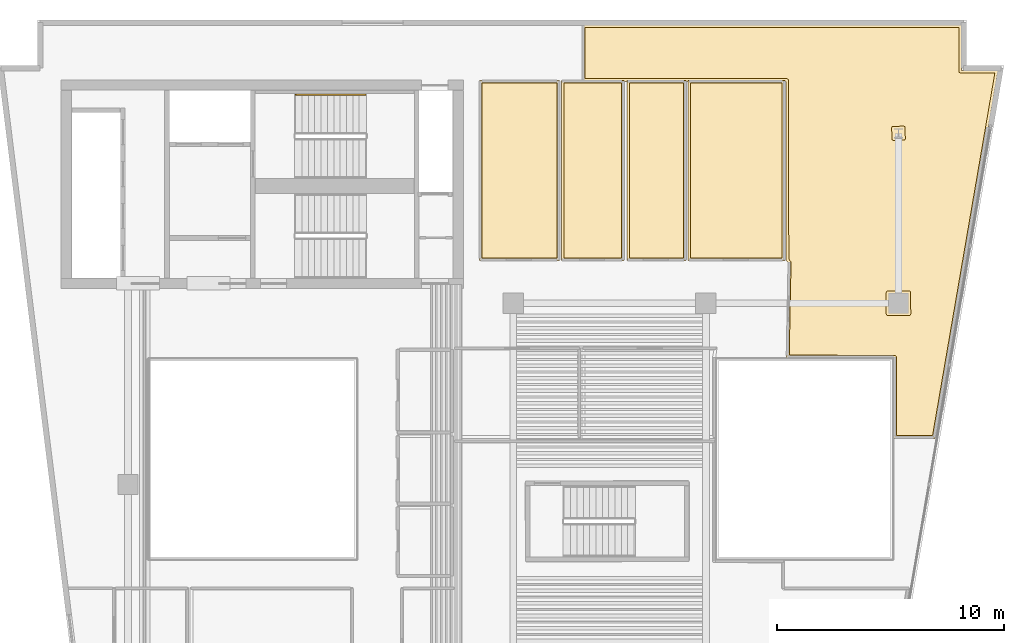
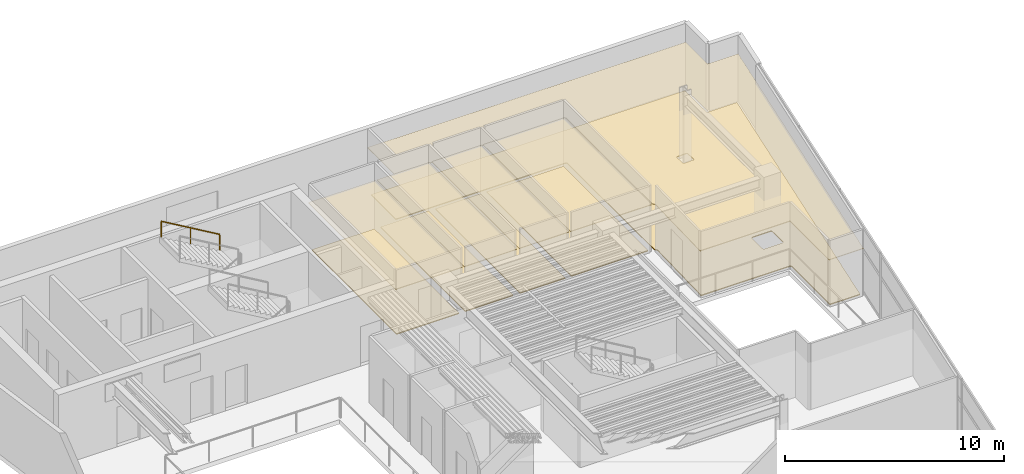
# One storey, part 9 of 9: 10 coverings, 1 railing.
"""IFC4 building model written with IfcOpenShell, lengths in metres."""

from ifc_helpers import new_model, si_unit, direction, frame, origin, origin_2d, place, context, subcontext, project, spatial, polyline, rectangle, outline, extrude, material, layer, layer_set, type_object, element, save


model = new_model("IFC4")

# Units and contexts
model_context = context("Model", 3, precision=1e-05, world=origin(), true_north=direction((0.0, 1.0)))
body_context = subcontext(model_context, "Body", "Model", "MODEL_VIEW")
ifc_project = project(units=[si_unit("LENGTHUNIT", "METRE"), si_unit("AREAUNIT", "SQUARE_METRE"), si_unit("VOLUMEUNIT", "CUBIC_METRE"), si_unit("PLANEANGLEUNIT", "RADIAN"), si_unit("MASSUNIT", "GRAM", prefix="KILO")], contexts=[model_context])

# Site, building, storey
site_placement = place(None, origin())
site = spatial("IfcSite", under=ifc_project, at=site_placement, CompositionType="ELEMENT")
building_placement = place(site_placement, origin())
building = spatial("IfcBuilding", under=site, at=building_placement, Name="Caeloran Harvest Quay", CompositionType="ELEMENT")
storey_placement = place(building_placement, frame((0.0, 0.0, 211.39990234375)))
storey = spatial("IfcBuildingStorey", under=building, at=storey_placement, Name="L50", CompositionType="ELEMENT", Elevation=211.39990234375)

# Coverings
ifc_material_1 = material(Name="Perforated Mineral-Fibre Acoustic Ceiling Tile", Category="ceiling")
ifc_layer_1 = layer(ifc_material_1, 0.0400390625, Name="Perforated Mineral-Fibre Acoustic Ceiling Tile")
ifc_layer_set_1 = layer_set([ifc_layer_1], Name="Perforated Mineral-Fibre Acoustic Ceiling Tile")
covering_type_1 = type_object("IfcCoveringType", Name="COV-CEILING-ACOUSTIC", PredefinedType="CEILING", material=ifc_layer_set_1)
covering_1_placement = place(storey_placement, frame((0.0, 0.0, 2.60009765625)))
element("IfcCovering", 1, at=covering_1_placement, inside=storey, type_object=covering_type_1, Name="L50 Bioinformatics Briefing Lounge Acoustic Ceiling", PredefinedType="CEILING", context=body_context, shape_type="SweptSolid", body=[
    extrude(outline(polyline([(27.5400390625, 40.840087890625), (27.5400390625, 32.8798828125), (24.010009765625, 32.8798828125), (24.010009765625, 40.840087890625), (27.5400390625, 40.840087890625)])), origin(), (0.0, 0.0, 1.0), 0.0400390625),
])
covering_2_placement = place(storey_placement, frame((0.0, 0.0, 2.60009765625)))
element("IfcCovering", 2, at=covering_2_placement, inside=storey, type_object=covering_type_1, Name="L50 Seed Imaging Laboratory Acoustic Ceiling", PredefinedType="CEILING", context=body_context, shape_type="SweptSolid", body=[
    extrude(outline(polyline([(30.389892578125, 40.840087890625), (30.389892578125, 32.8798828125), (27.6201171875, 32.8798828125), (27.6201171875, 40.840087890625), (30.389892578125, 40.840087890625)])), origin(), (0.0, 0.0, 1.0), 0.0400390625),
])
covering_3_placement = place(storey_placement, frame((0.0, 0.0, 2.60009765625)))
element("IfcCovering", 3, at=covering_3_placement, inside=storey, type_object=covering_type_1, Name="L50 Genomics Seminar West Room Acoustic Ceiling", PredefinedType="CEILING", context=body_context, shape_type="SweptSolid", body=[
    extrude(outline(polyline([(33.1298828125, 40.840087890625), (33.1298828125, 32.8798828125), (30.510009765625, 32.8798828125), (30.510009765625, 40.840087890625), (33.1298828125, 40.840087890625)])), origin(), (0.0, 0.0, 1.0), 0.0400390625),
])
covering_4_placement = place(storey_placement, frame((0.0, 0.0, 2.60009765625)))
element("IfcCovering", 4, at=covering_4_placement, inside=storey, type_object=covering_type_1, Name="L50 Executive Archive East Studio Acoustic Ceiling", PredefinedType="CEILING", context=body_context, shape_type="SweptSolid", body=[
    extrude(outline(polyline([(37.489990234375, 40.840087890625), (37.489990234375, 32.8798828125), (33.2099609375, 32.8798828125), (33.2099609375, 40.840087890625), (37.489990234375, 40.840087890625)])), origin(), (0.0, 0.0, 1.0), 0.0400390625),
])
covering_5_placement = place(storey_placement, frame((0.0, 0.0, 2.60009765625)))
element("IfcCovering", 5, at=covering_5_placement, inside=storey, type_object=covering_type_1, Name="Policy Seminar Meeting Hall 8 Acoustic Ceiling", PredefinedType="CEILING", context=body_context, shape_type="SweptSolid", body=[
    extrude(outline(polyline([(45.280029296875, 41.280029296875), (46.895263671875, 41.280029296875), (44.10400390625, 25.0400390625), (42.2900390625, 25.0400390625), (42.2900390625, 28.590087890625), (37.556884765625, 28.590087890625), (37.6396484375, 32.802734375), (37.5400390625, 32.89453125), (37.5400390625, 40.7900390625), (28.5400390625, 40.7900390625), (28.5400390625, 43.280029296875), (45.280029296875, 43.280029296875), (45.280029296875, 41.280029296875)])), origin(), (0.0, 0.0, 1.0), 0.0400390625),
])
ifc_material_2 = material(Name="Calcium-Sulphate Raised Access Floor and Terrazzo Finish", Category="flooring")
ifc_layer_2 = layer(ifc_material_2, 0.050048828125, Name="Calcium-Sulphate Raised Access Floor and Terrazzo Finish")
ifc_layer_set_2 = layer_set([ifc_layer_2], Name="Calcium-Sulphate Raised Access Floor and Terrazzo Finish")
covering_type_2 = type_object("IfcCoveringType", Name="COV-FLOOR-RAISED", PredefinedType="FLOORING", material=ifc_layer_set_2)
covering_6_placement = place(storey_placement, origin())
element("IfcCovering", 6, at=covering_6_placement, inside=storey, type_object=covering_type_2, Name="L50 Bioinformatics Briefing Lounge Raised Finish Flooring", PredefinedType="FLOORING", context=body_context, shape_type="SweptSolid", body=[
    extrude(outline(polyline([(27.419921875, 40.719970703125), (27.419921875, 33.0), (24.1298828125, 33.0), (24.1298828125, 40.719970703125), (27.419921875, 40.719970703125)])), origin(), (0.0, 0.0, 1.0), 0.050048828125),
])
covering_7_placement = place(storey_placement, origin())
element("IfcCovering", 7, at=covering_7_placement, inside=storey, type_object=covering_type_2, Name="L50 Seed Imaging Laboratory Raised Finish Flooring", PredefinedType="FLOORING", context=body_context, shape_type="SweptSolid", body=[
    extrude(outline(polyline([(30.27001953125, 40.719970703125), (30.27001953125, 33.0), (27.739990234375, 33.0), (27.739990234375, 40.719970703125), (30.27001953125, 40.719970703125)])), origin(), (0.0, 0.0, 1.0), 0.050048828125),
])
covering_8_placement = place(storey_placement, origin())
element("IfcCovering", 8, at=covering_8_placement, inside=storey, type_object=covering_type_2, Name="L50 Genomics Seminar West Room Raised Finish Flooring", PredefinedType="FLOORING", context=body_context, shape_type="SweptSolid", body=[
    extrude(outline(polyline([(33.010009765625, 40.719970703125), (33.010009765625, 33.0), (30.6298828125, 33.0), (30.6298828125, 40.719970703125), (33.010009765625, 40.719970703125)])), origin(), (0.0, 0.0, 1.0), 0.050048828125),
])
covering_9_placement = place(storey_placement, origin())
element("IfcCovering", 9, at=covering_9_placement, inside=storey, type_object=covering_type_2, Name="L50 Executive Archive East Studio Raised Finish Flooring", PredefinedType="FLOORING", context=body_context, shape_type="SweptSolid", body=[
    extrude(outline(polyline([(37.3701171875, 40.719970703125), (37.3701171875, 33.0), (33.330078125, 33.0), (33.330078125, 40.719970703125), (37.3701171875, 40.719970703125)])), origin(), (0.0, 0.0, 1.0), 0.050048828125),
])
covering_10_placement = place(storey_placement, origin())
element("IfcCovering", 10, at=covering_10_placement, inside=storey, type_object=covering_type_2, Name="Policy Seminar Meeting Hall 8 Raised Finish Flooring", PredefinedType="FLOORING", context=body_context, shape_type="SweptSolid", body=[
    extrude(outline(polyline([(28.659912109375, 43.159912109375), (45.159912109375, 43.159912109375), (45.17822265625, 41.189208984375), (45.239990234375, 41.159912109375), (46.752685546875, 41.159912109375), (44.002685546875, 25.159912109375), (42.409912109375, 25.159912109375), (42.409912109375, 28.6298828125), (42.36767578125, 28.70068359375), (37.679443359375, 28.7099609375), (37.760009765625, 32.818359375), (37.659912109375, 32.947265625), (37.641845703125, 40.880859375), (37.580078125, 40.909912109375), (28.659912109375, 40.909912109375), (28.659912109375, 43.159912109375)]), holes=[polyline([(43.044921875, 30.534912109375), (43.02685546875, 31.515869140625), (42.972900390625, 31.544677734375), (42.034912109375, 31.544921875), (41.978515625, 31.521484375), (41.955078125, 31.465087890625), (41.955078125, 30.534912109375), (41.978515625, 30.478515625), (42.034912109375, 30.455078125), (42.965087890625, 30.455078125), (43.021484375, 30.478515625), (43.044921875, 30.534912109375)]), polyline([(42.802490234375, 38.254150390625), (42.784912109375, 38.788818359375), (42.730712890625, 38.817626953125), (42.226318359375, 38.7998046875), (42.197021484375, 38.738037109375), (42.215087890625, 38.211181640625), (42.277099609375, 38.181884765625), (42.773681640625, 38.2001953125), (42.802490234375, 38.254150390625)])]), origin(), (0.0, 0.0, 1.0), 0.050048828125),
])

# Railing
ifc_material_3 = material(Name="Brushed Stainless Steel Grade 304", Category="steel")
ifc_layer_3 = layer(ifc_material_3, 0.050048828125, Name="Brushed Stainless Steel Grade 304")
ifc_layer_set_3 = layer_set([ifc_layer_3], Name="Brushed Stainless Steel Grade 304")
railing_type = type_object("IfcRailingType", Name="STAIR-HANDRAIL-900", PredefinedType="HANDRAIL", material=ifc_layer_set_3)
railing_placement = place(storey_placement, frame((18.97998046875, 40.199951171875, 2.1396484375)))
element("IfcRailing", 11, at=railing_placement, inside=storey, type_object=railing_type, Name="L50 ST-C1 stair handrail 2", PredefinedType="HANDRAIL", context=body_context, shape_type="SweptSolid", body=[
    extrude(rectangle(XDim=0.048095703125, YDim=0.048095703125, at=origin_2d()), frame((0.0, 0.0, 0.8759765625), z_axis=(-0.862088758681, 0.0, 0.506757310905), x_axis=(0.0, -1.0, 0.0)), (0.0, 0.0, 1.0), 3.57275390625),
    extrude(rectangle(XDim=0.0419921875, YDim=0.0419921875, at=origin_2d()), origin(), (0.0, 0.0, 1.0), 0.851806640625),
    extrude(rectangle(XDim=0.0419921875, YDim=0.0419921875, at=origin_2d()), frame((-1.5400390625, 0.0, 0.9052734375)), (0.0, 0.0, 1.0), 0.851806640625),
    extrude(rectangle(XDim=0.0419921875, YDim=0.0419921875, at=origin_2d()), frame((-3.080078125, 0.0, 1.810546875)), (0.0, 0.0, 1.0), 0.851806640625),
])

save(model, "model.ifc")
